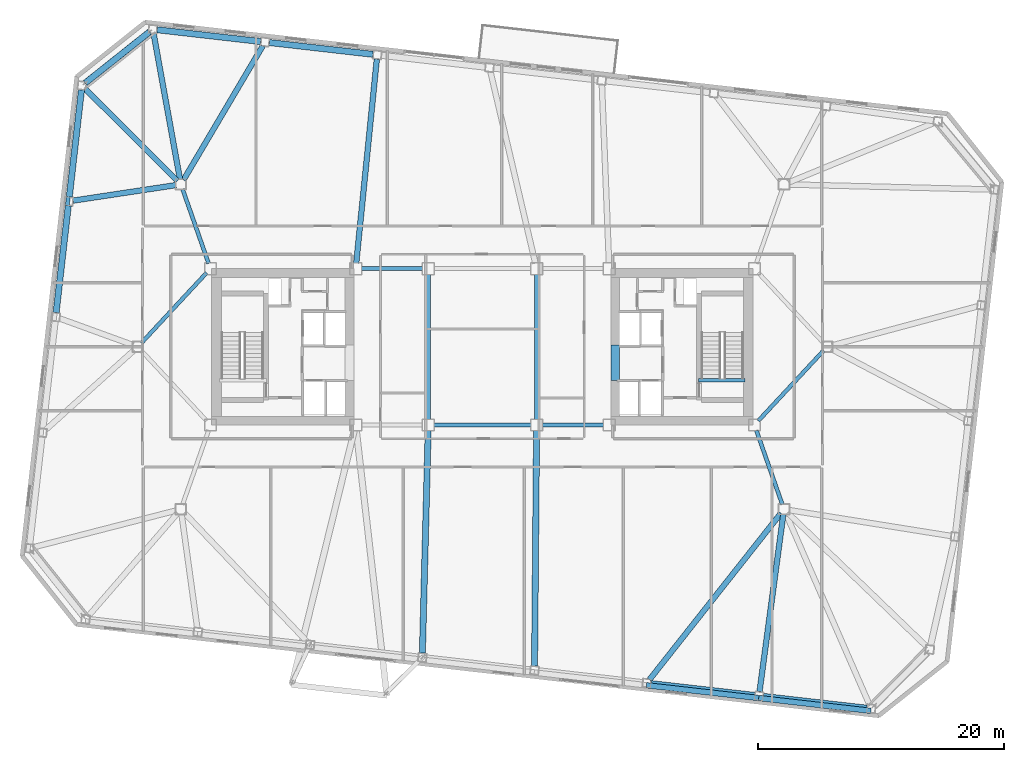
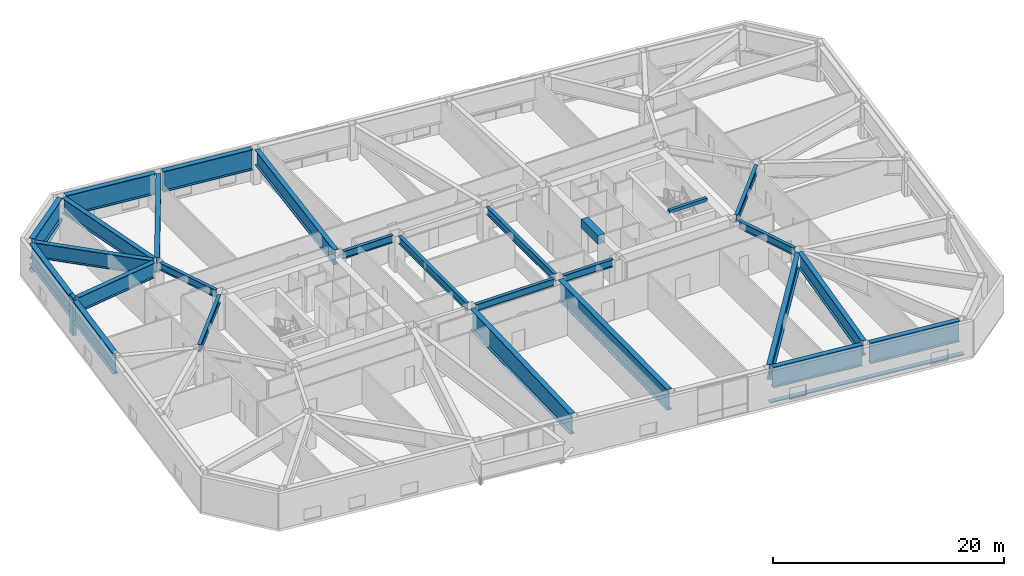
# One storey, part 5 of 21: 27 beams, 4 members.
"""IFC4 building model written with IfcOpenShell, lengths in metres."""

from ifc_helpers import new_model, si_unit, direction, frame, origin, origin_2d, place, context, subcontext, project, spatial, rectangle, hollow_circle, i_section, extrude, material, material_profile, profile_set, type_object, element, save


model = new_model("IFC4")

# Units and contexts
model_context = context("Model", 3, precision=1e-05, world=origin(), true_north=direction((0.0, 1.0)))
body_context = subcontext(model_context, "Body", "Model", "MODEL_VIEW")
ifc_project = project(units=[si_unit("LENGTHUNIT", "METRE"), si_unit("AREAUNIT", "SQUARE_METRE"), si_unit("VOLUMEUNIT", "CUBIC_METRE"), si_unit("PLANEANGLEUNIT", "RADIAN"), si_unit("MASSUNIT", "GRAM", prefix="KILO")], contexts=[model_context])

# Site, building, storey
site_placement = place(None, origin())
site = spatial("IfcSite", under=ifc_project, at=site_placement, CompositionType="ELEMENT")
building_placement = place(site_placement, origin())
building = spatial("IfcBuilding", under=site, at=building_placement, Name="Tavrogorsk Clinical Tower", CompositionType="ELEMENT")
storey_placement = place(building_placement, frame((0.0, 0.0, 89.39990234375)))
storey = spatial("IfcBuildingStorey", under=building, at=storey_placement, Name="L19", CompositionType="ELEMENT", Elevation=89.39990234375)

# Members
ifc_material_1 = material(Name="Anodised aluminium alloy AW-6063", Category="aluminium")
ifc_material_profile_1 = material_profile(ifc_material_1, rectangle(XDim=0.449951171875, YDim=0.1201171875, at=origin_2d()), Name="ALU-SUNSHADE-450x120")
ifc_profile_set_1 = profile_set([ifc_material_profile_1], Name="Anodised aluminium alloy AW-6063")
member_type_1 = type_object("IfcMemberType", Name="ChicagoSunshade_450x120", PredefinedType="USERDEFINED", material=ifc_profile_set_1)
for number, where, z_axis, x_axis, name in (
    (1, (13.326416015625, -27.502197265625, 0.18017578125), (0.993572654864, -0.113196199166, 0.0), (0.113196199166, 0.993572654864, 0.0), "L19 South Aluminium Sunshade S6"),
    (2, (22.444580078125, -28.541015625, 0.18017578125), (0.993572654864, -0.113196199166, 0.0), (0.113196199166, 0.993572654864, 0.0), "L19 South Aluminium Sunshade S7"),
):
    element("IfcMember", number, at=place(storey_placement, frame(where, z_axis=z_axis, x_axis=x_axis)), inside=storey, type_object=member_type_1, Name=name, ObjectType="SUNSHADE", PredefinedType="USERDEFINED", context=body_context, shape_type="SweptSolid", body=[
        extrude(rectangle(XDim=0.449951171875, YDim=0.1201171875, at=origin_2d()), origin(), (0.0, 0.0, 1.0), 9.17724609375),
    ])

# Beam
ifc_material_2 = material(Name="Concrete B80", Category="concrete")
ifc_material_profile_2 = material_profile(ifc_material_2, rectangle(XDim=0.699951171875, YDim=0.949951171875, at=origin_2d()), Name="RC-CB-700x950")
ifc_profile_set_2 = profile_set([ifc_material_profile_2], Name="Concrete B80")
beam_type_1 = type_object("IfcBeamType", Name="CouplingBeam_RC700x950", PredefinedType="LINTEL", material=ifc_profile_set_2)
beam_1_placement = place(storey_placement, frame((10.800048828125, -2.75, 3.26513671875), z_axis=(0.0, 1.0, 0.0), x_axis=(-1.0, 0.0, 0.0)))
element("IfcBeam", 3, at=beam_1_placement, inside=storey, type_object=beam_type_1, Name="L19 Core East Coupling Beam", PredefinedType="LINTEL", context=body_context, shape_type="SweptSolid", body=[
    extrude(rectangle(XDim=0.699951171875, YDim=0.949951171875, at=origin_2d()), origin(), (0.0, 0.0, 1.0), 2.89990234375),
])

# Members
ifc_material_3 = material(Name="Structural steel S440", Category="steel")
ifc_material_profile_3 = material_profile(ifc_material_3, hollow_circle(Radius=0.25390625, WallThickness=0.02001953125, at=origin_2d()), Name="CHS-508x20")
ifc_profile_set_3 = profile_set([ifc_material_profile_3], Name="Structural steel S440")
member_type_2 = type_object("IfcMemberType", Name="ExoBrace_CHS508", PredefinedType="BRACE", material=ifc_profile_set_3)
member_1_placement = place(storey_placement, frame((-32.26171875, 21.443115234375, 0.357177734375), z_axis=(0.772560445092, 0.614516941236, 0.15974757467), x_axis=(-0.622511295801, 0.782610814262, 0.0)))
element("IfcMember", 4, at=member_1_placement, inside=storey, type_object=member_type_2, Name="L19 Corner Exoskeleton Brace N8-W1", PredefinedType="BRACE", context=body_context, shape_type="SweptSolid", body=[
    extrude(hollow_circle(Radius=0.25390625, WallThickness=0.02001953125, at=origin_2d()), origin(), (0.0, 0.0, 1.0), 6.733642578125),
])
ifc_material_4 = material(Name="Precast concrete B45 with limestone cladding", Category="masonry")
ifc_material_profile_4 = material_profile(ifc_material_4, rectangle(XDim=0.320068359375, YDim=0.719970703125, at=origin_2d()), Name="LIMESTONE-FIN-320x720")
ifc_profile_set_4 = profile_set([ifc_material_profile_4], Name="Precast concrete B45 with limestone cladding")
member_type_3 = type_object("IfcMemberType", Name="LimestonePleatFin_320x720", PredefinedType="USERDEFINED", material=ifc_profile_set_4)
member_2_placement = place(storey_placement, frame((-33.688720703125, 11.8330078125, 0.0), z_axis=(0.0, 0.0, 1.0), x_axis=(0.993571855677, -0.113203213768, 0.0)))
element("IfcMember", 5, at=member_2_placement, inside=storey, type_object=member_type_3, Name="L19 W Pleated Stone Fin 1", ObjectType="FIN", PredefinedType="USERDEFINED", context=body_context, shape_type="SweptSolid", body=[
    extrude(rectangle(XDim=0.320068359375, YDim=0.719970703125, at=origin_2d()), origin(), (0.0, 0.0, 1.0), 4.0),
])

# Beams
ifc_material_5 = material(Name="Structural steel S390", Category="steel")
ifc_material_profile_5 = material_profile(ifc_material_5, i_section(OverallWidth=0.320068359375, OverallDepth=0.800048828125, WebThickness=0.02001953125, FlangeThickness=0.033935546875, at=origin_2d()), Name="B-800x320x20x34")
ifc_profile_set_5 = profile_set([ifc_material_profile_5], Name="Structural steel S390")
beam_type_2 = type_object("IfcBeamType", Name="PrimaryGirder_B800", PredefinedType="USERDEFINED", material=ifc_profile_set_5)
beam_2_placement = place(storey_placement, frame((-9.840087890625, 6.35009765625, 3.340087890625), z_axis=(1.0, 0.0, 0.0), x_axis=(0.0, 1.0, 0.0)))
element("IfcBeam", 6, at=beam_2_placement, inside=storey, type_object=beam_type_2, Name="L19 Primary Spine Girder MG-02", ObjectType="GIRDER", PredefinedType="USERDEFINED", context=body_context, shape_type="SweptSolid", body=[
    extrude(i_section(OverallWidth=0.320068359375, OverallDepth=0.800048828125, WebThickness=0.02001953125, FlangeThickness=0.033935546875, at=origin_2d()), origin(), (0.0, 0.0, 1.0), 4.97998046875),
])
beam_3_placement = place(storey_placement, frame((-3.93994140625, -6.35009765625, 3.340087890625), z_axis=(1.0, 0.0, 0.0), x_axis=(0.0, 1.0, 0.0)))
element("IfcBeam", 7, at=beam_3_placement, inside=storey, type_object=beam_type_2, Name="L19 Primary Spine Girder MG-03", ObjectType="GIRDER", PredefinedType="USERDEFINED", context=body_context, shape_type="SweptSolid", body=[
    extrude(i_section(OverallWidth=0.320068359375, OverallDepth=0.800048828125, WebThickness=0.02001953125, FlangeThickness=0.033935546875, at=origin_2d()), origin(), (0.0, 0.0, 1.0), 7.8798828125),
])
beam_4_placement = place(storey_placement, frame((4.860107421875, -6.35009765625, 3.340087890625), z_axis=(1.0, 0.0, 0.0), x_axis=(0.0, 1.0, 0.0)))
element("IfcBeam", 8, at=beam_4_placement, inside=storey, type_object=beam_type_2, Name="L19 Primary Spine Girder MG-05", ObjectType="GIRDER", PredefinedType="USERDEFINED", context=body_context, shape_type="SweptSolid", body=[
    extrude(i_section(OverallWidth=0.320068359375, OverallDepth=0.800048828125, WebThickness=0.02001953125, FlangeThickness=0.033935546875, at=origin_2d()), origin(), (0.0, 0.0, 1.0), 4.97998046875),
])
for number, where, z_axis, x_axis, name in (
    (9, (-4.39990234375, -5.889892578125, 3.340087890625), (0.0, 1.0, 0.0), (-1.0, 0.0, 0.0), "L19 Primary Spine Girder MG-07"),
    (10, (4.39990234375, -5.889892578125, 3.340087890625), (0.0, 1.0, 0.0), (-1.0, 0.0, 0.0), "L19 Primary Spine Girder MG-08"),
):
    element("IfcBeam", number, at=place(storey_placement, frame(where, z_axis=z_axis, x_axis=x_axis)), inside=storey, type_object=beam_type_2, Name=name, ObjectType="GIRDER", PredefinedType="USERDEFINED", context=body_context, shape_type="SweptSolid", body=[
        extrude(i_section(OverallWidth=0.320068359375, OverallDepth=0.800048828125, WebThickness=0.02001953125, FlangeThickness=0.033935546875, at=origin_2d()), origin(), (0.0, 0.0, 1.0), 11.77978515625),
    ])
for number, where, z_axis, x_axis, name in (
    (11, (24.364501953125, -12.81298828125, 3.340087890625), (-0.330660234815, 0.943749865755, 0.0), (-0.943749865755, -0.330660234815, 0.0), "L19 Spine Link Girder OPG-2"),
    (12, (-24.364501953125, 12.81298828125, 3.340087890625), (0.330660234815, -0.943749865755, 0.0), (0.943749865755, 0.330660234815, 0.0), "L19 Spine Link Girder OPG-3"),
):
    element("IfcBeam", number, at=place(storey_placement, frame(where, z_axis=z_axis, x_axis=x_axis)), inside=storey, type_object=beam_type_2, Name=name, ObjectType="GIRDER", PredefinedType="USERDEFINED", context=body_context, shape_type="SweptSolid", body=[
        extrude(i_section(OverallWidth=0.320068359375, OverallDepth=0.800048828125, WebThickness=0.02001953125, FlangeThickness=0.033935546875, at=origin_2d()), origin(), (0.0, 0.0, 1.0), 6.38818359375),
    ])
for number, where, z_axis, x_axis, name in (
    (13, (-27.720947265625, 0.30029296875, 3.340087890625), (0.680675630035, 0.732584934787, 0.0), (-0.732584934787, 0.680675630035, 0.0), "L19 Spine Link Girder OPG-6"),
    (14, (27.720947265625, -0.30029296875, 3.340087890625), (-0.680675630035, -0.732584934787, 0.0), (0.732584934787, -0.680675630035, 0.0), "L19 Spine Link Girder OPG-7"),
):
    element("IfcBeam", number, at=place(storey_placement, frame(where, z_axis=z_axis, x_axis=x_axis)), inside=storey, type_object=beam_type_2, Name=name, ObjectType="GIRDER", PredefinedType="USERDEFINED", context=body_context, shape_type="SweptSolid", body=[
        extrude(i_section(OverallWidth=0.320068359375, OverallDepth=0.800048828125, WebThickness=0.02001953125, FlangeThickness=0.033935546875, at=origin_2d()), origin(), (0.0, 0.0, 1.0), 7.7978515625),
    ])
ifc_material_6 = material(Name="Concrete B60", Category="concrete")
ifc_material_profile_6 = material_profile(ifc_material_6, rectangle(XDim=0.300048828125, YDim=0.35009765625, at=origin_2d()), Name="RC-SHB-300x350")
ifc_profile_set_6 = profile_set([ifc_material_profile_6], Name="Concrete B60")
beam_type_3 = type_object("IfcBeamType", Name="StairHeaderBeam_RC300x350", PredefinedType="BEAM", material=ifc_profile_set_6)
beam_5_placement = place(storey_placement, frame((17.550048828125, -2.719970703125, 3.8251953125), z_axis=(1.0, 0.0, 0.0), x_axis=(0.0, 1.0, 0.0)))
element("IfcBeam", 15, at=beam_5_placement, inside=storey, type_object=beam_type_3, Name="L20 ST-E Landing Header Beam", PredefinedType="BEAM", context=body_context, shape_type="SweptSolid", body=[
    extrude(rectangle(XDim=0.300048828125, YDim=0.35009765625, at=origin_2d()), origin(), (0.0, 0.0, 1.0), 3.800048828125),
])
ifc_material_7 = material(Name="Structural steel S440", Category="steel")
ifc_material_profile_7 = material_profile(ifc_material_7, i_section(OverallWidth=0.449951171875, OverallDepth=1.60009765625, WebThickness=0.031982421875, FlangeThickness=0.050048828125, at=origin_2d()), Name="DK-1600x450x32x50")
ifc_profile_set_7 = profile_set([ifc_material_profile_7], Name="Structural steel S440")
beam_type_4 = type_object("IfcBeamType", Name="TransferGirder_DK1600", PredefinedType="USERDEFINED", material=ifc_profile_set_7)
beam_6_placement = place(storey_placement, frame((24.245849609375, -13.521728515625, 2.940185546875), z_axis=(-0.619757312108, -0.784793523221, 0.0), x_axis=(0.784793523221, -0.619757312108, 0.0)))
element("IfcBeam", 16, at=beam_6_placement, inside=storey, type_object=beam_type_4, Name="L19 Radial Floor Beam S6", ObjectType="GIRDER", PredefinedType="USERDEFINED", context=body_context, shape_type="SweptSolid", body=[
    extrude(i_section(OverallWidth=0.449951171875, OverallDepth=1.60009765625, WebThickness=0.031982421875, FlangeThickness=0.050048828125, at=origin_2d()), origin(), (0.0, 0.0, 1.0), 17.22802734375),
])
beam_7_placement = place(storey_placement, frame((24.445556640625, -13.6064453125, 2.940185546875), z_axis=(-0.133025440596, -0.991112623345, 0.0), x_axis=(0.991112623345, -0.133025440596, 0.0)))
element("IfcBeam", 17, at=beam_7_placement, inside=storey, type_object=beam_type_4, Name="L19 Radial Floor Beam S7", ObjectType="GIRDER", PredefinedType="USERDEFINED", context=body_context, shape_type="SweptSolid", body=[
    extrude(i_section(OverallWidth=0.449951171875, OverallDepth=1.60009765625, WebThickness=0.031982421875, FlangeThickness=0.050048828125, at=origin_2d()), origin(), (0.0, 0.0, 1.0), 14.530029296875),
])
beam_8_placement = place(storey_placement, frame((-10.25390625, 6.8076171875, 2.940185546875), z_axis=(0.100407035617, 0.994946444387, 0.0), x_axis=(-0.994946444387, 0.100407035617, 0.0)))
element("IfcBeam", 18, at=beam_8_placement, inside=storey, type_object=beam_type_4, Name="L19 Radial Floor Beam N6", ObjectType="GIRDER", PredefinedType="USERDEFINED", context=body_context, shape_type="SweptSolid", body=[
    extrude(i_section(OverallWidth=0.449951171875, OverallDepth=1.60009765625, WebThickness=0.031982421875, FlangeThickness=0.050048828125, at=origin_2d()), origin(), (0.0, 0.0, 1.0), 16.643798828125),
])
beam_9_placement = place(storey_placement, frame((-24.291259765625, 13.552978515625, 2.940185546875), z_axis=(0.508876748392, 0.86083938975, 0.0), x_axis=(-0.86083938975, 0.508876748392, 0.0)))
element("IfcBeam", 19, at=beam_9_placement, inside=storey, type_object=beam_type_4, Name="L19 Radial Floor Beam N7", ObjectType="GIRDER", PredefinedType="USERDEFINED", context=body_context, shape_type="SweptSolid", body=[
    extrude(i_section(OverallWidth=0.449951171875, OverallDepth=1.60009765625, WebThickness=0.031982421875, FlangeThickness=0.050048828125, at=origin_2d()), origin(), (0.0, 0.0, 1.0), 12.663330078125),
])
beam_10_placement = place(storey_placement, frame((-24.572998046875, 13.603515625, 2.940185546875), z_axis=(-0.178287530482, 0.983978432932, 0.0), x_axis=(-0.983978432932, -0.178287530482, 0.0)))
element("IfcBeam", 20, at=beam_10_placement, inside=storey, type_object=beam_type_4, Name="L19 Radial Floor Beam N8", ObjectType="GIRDER", PredefinedType="USERDEFINED", context=body_context, shape_type="SweptSolid", body=[
    extrude(i_section(OverallWidth=0.449951171875, OverallDepth=1.60009765625, WebThickness=0.031982421875, FlangeThickness=0.050048828125, at=origin_2d()), origin(), (0.0, 0.0, 1.0), 12.0380859375),
])
beam_11_placement = place(storey_placement, frame((-24.790283203125, 13.48974609375, 2.940185546875), z_axis=(-0.707775090959, 0.706437839175, 0.0), x_axis=(-0.706437839175, -0.707775090959, 0.0)))
element("IfcBeam", 21, at=beam_11_placement, inside=storey, type_object=beam_type_4, Name="L19 Radial Floor Beam W1", ObjectType="GIRDER", PredefinedType="USERDEFINED", context=body_context, shape_type="SweptSolid", body=[
    extrude(i_section(OverallWidth=0.449951171875, OverallDepth=1.60009765625, WebThickness=0.031982421875, FlangeThickness=0.050048828125, at=origin_2d()), origin(), (0.0, 0.0, 1.0), 10.589111328125),
])
beam_12_placement = place(storey_placement, frame((-24.905517578125, 13.138671875, 2.940185546875), z_axis=(-0.98878314082, -0.149358295482, 0.0), x_axis=(0.149358295482, -0.98878314082, 0.0)))
element("IfcBeam", 22, at=beam_12_placement, inside=storey, type_object=beam_type_4, Name="L19 Radial Floor Beam W2", ObjectType="GIRDER", PredefinedType="USERDEFINED", context=body_context, shape_type="SweptSolid", body=[
    extrude(i_section(OverallWidth=0.449951171875, OverallDepth=1.60009765625, WebThickness=0.031982421875, FlangeThickness=0.050048828125, at=origin_2d()), origin(), (0.0, 0.0, 1.0), 8.4443359375),
])
ifc_material_8 = material(Name="Structural steel S440", Category="steel")
ifc_material_profile_8 = material_profile(ifc_material_8, i_section(OverallWidth=0.5, OverallDepth=2.199951171875, WebThickness=0.035888671875, FlangeThickness=0.054931640625, at=origin_2d()), Name="DK-2200x500x36x55")
ifc_profile_set_8 = profile_set([ifc_material_profile_8], Name="Structural steel S440")
beam_type_5 = type_object("IfcBeamType", Name="TransferGirder_DK2200", PredefinedType="USERDEFINED", material=ifc_profile_set_8)
beam_13_placement = place(storey_placement, frame((13.702392578125, -27.36376953125, 2.64013671875), z_axis=(0.993569819641, -0.113221082395, 0.0), x_axis=(0.113221082395, 0.993569819641, 0.0)))
element("IfcBeam", 23, at=beam_13_placement, inside=storey, type_object=beam_type_5, Name="L19 Perimeter Spandrel S6-S7", ObjectType="GIRDER", PredefinedType="USERDEFINED", context=body_context, shape_type="SweptSolid", body=[
    extrude(i_section(OverallWidth=0.5, OverallDepth=2.199951171875, WebThickness=0.035888671875, FlangeThickness=0.054931640625, at=origin_2d()), origin(), (0.0, 0.0, 1.0), 8.46142578125),
])
beam_14_placement = place(storey_placement, frame((22.82080078125, -28.40283203125, 2.64013671875), z_axis=(0.99357232562, -0.113199089054, 0.0), x_axis=(0.113199089054, 0.99357232562, 0.0)))
element("IfcBeam", 24, at=beam_14_placement, inside=storey, type_object=beam_type_5, Name="L19 Perimeter Spandrel S7-S8", ObjectType="GIRDER", PredefinedType="USERDEFINED", context=body_context, shape_type="SweptSolid", body=[
    extrude(i_section(OverallWidth=0.5, OverallDepth=2.199951171875, WebThickness=0.035888671875, FlangeThickness=0.054931640625, at=origin_2d()), origin(), (0.0, 0.0, 1.0), 8.4609375),
])
for number, where, z_axis, x_axis, name in (
    (25, (-8.902587890625, 23.763916015625, 2.64013671875), (-0.993572695356, 0.113195843756, 0.0), (-0.113195843756, -0.993572695356, 0.0), "L19 Perimeter Spandrel N6-N7"),
    (26, (-18.020751953125, 24.802734375, 2.64013671875), (-0.993572695356, 0.113195843756, 0.0), (-0.113195843756, -0.993572695356, 0.0), "L19 Perimeter Spandrel N7-N8"),
):
    element("IfcBeam", number, at=place(storey_placement, frame(where, z_axis=z_axis, x_axis=x_axis)), inside=storey, type_object=beam_type_5, Name=name, ObjectType="GIRDER", PredefinedType="USERDEFINED", context=body_context, shape_type="SweptSolid", body=[
        extrude(i_section(OverallWidth=0.5, OverallDepth=2.199951171875, WebThickness=0.035888671875, FlangeThickness=0.054931640625, at=origin_2d()), origin(), (0.0, 0.0, 1.0), 8.461181640625),
    ])
beam_15_placement = place(storey_placement, frame((-27.063232421875, 25.578125, 2.64013671875), z_axis=(-0.782613271493, -0.622508206599, 0.0), x_axis=(0.622508206599, -0.782613271493, 0.0)))
element("IfcBeam", 27, at=beam_15_placement, inside=storey, type_object=beam_type_5, Name="L19 Perimeter Spandrel N8-W1", ObjectType="GIRDER", PredefinedType="USERDEFINED", context=body_context, shape_type="SweptSolid", body=[
    extrude(i_section(OverallWidth=0.5, OverallDepth=2.199951171875, WebThickness=0.035888671875, FlangeThickness=0.054931640625, at=origin_2d()), origin(), (0.0, 0.0, 1.0), 6.6376953125),
])
for number, where, z_axis, x_axis, name in (
    (28, (-32.578857421875, 20.867431640625, 2.64013671875), (-0.113192226434, -0.993573107464, 0.0), (0.993573107464, -0.113192226434, 0.0), "L19 Perimeter Spandrel W1-W2"),
    (29, (-33.649658203125, 11.46826171875, 2.64013671875), (-0.113219789686, -0.993569966949, 0.0), (0.993569966949, -0.113219789686, 0.0), "L19 Perimeter Spandrel W2-W3"),
):
    element("IfcBeam", number, at=place(storey_placement, frame(where, z_axis=z_axis, x_axis=x_axis)), inside=storey, type_object=beam_type_5, Name=name, ObjectType="GIRDER", PredefinedType="USERDEFINED", context=body_context, shape_type="SweptSolid", body=[
        extrude(i_section(OverallWidth=0.5, OverallDepth=2.199951171875, WebThickness=0.035888671875, FlangeThickness=0.054931640625, at=origin_2d()), origin(), (0.0, 0.0, 1.0), 8.743896484375),
    ])
beam_16_placement = place(storey_placement, frame((-4.411865234375, -6.809814453125, 2.64013671875), z_axis=(-0.025907273598, -0.999664350257, 0.0), x_axis=(0.999664350257, -0.025907273598, 0.0)))
element("IfcBeam", 30, at=beam_16_placement, inside=storey, type_object=beam_type_5, Name="L19 Radial Floor Beam S4", ObjectType="GIRDER", PredefinedType="USERDEFINED", context=body_context, shape_type="SweptSolid", body=[
    extrude(i_section(OverallWidth=0.5, OverallDepth=2.199951171875, WebThickness=0.035888671875, FlangeThickness=0.054931640625, at=origin_2d()), origin(), (0.0, 0.0, 1.0), 18.083984375),
])
beam_17_placement = place(storey_placement, frame((4.39599609375, -6.81005859375, 2.64013671875), z_axis=(-0.00859471964, -0.999963064715, 0.0), x_axis=(0.999963064715, -0.00859471964, 0.0)))
element("IfcBeam", 31, at=beam_17_placement, inside=storey, type_object=beam_type_5, Name="L19 Radial Floor Beam S5", ObjectType="GIRDER", PredefinedType="USERDEFINED", context=body_context, shape_type="SweptSolid", body=[
    extrude(i_section(OverallWidth=0.5, OverallDepth=2.199951171875, WebThickness=0.035888671875, FlangeThickness=0.054931640625, at=origin_2d()), origin(), (0.0, 0.0, 1.0), 19.1171875),
])

save(model, "model.ifc")
